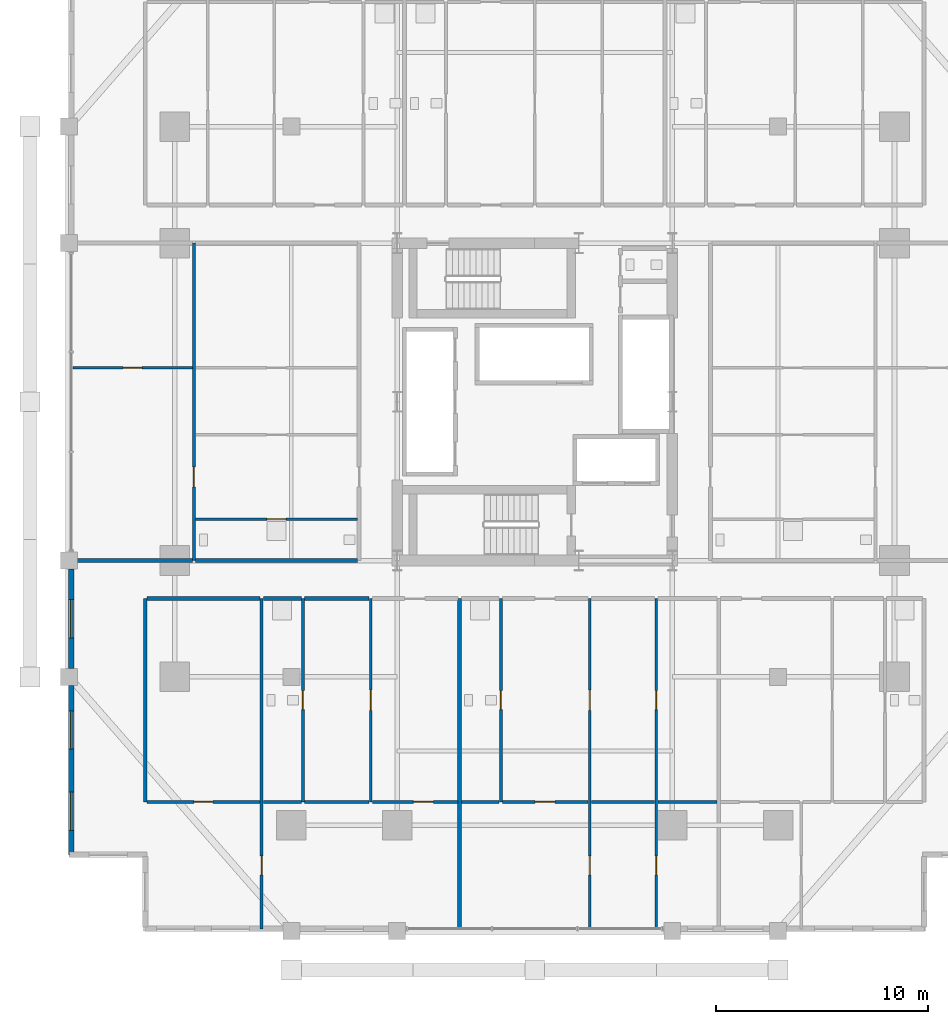
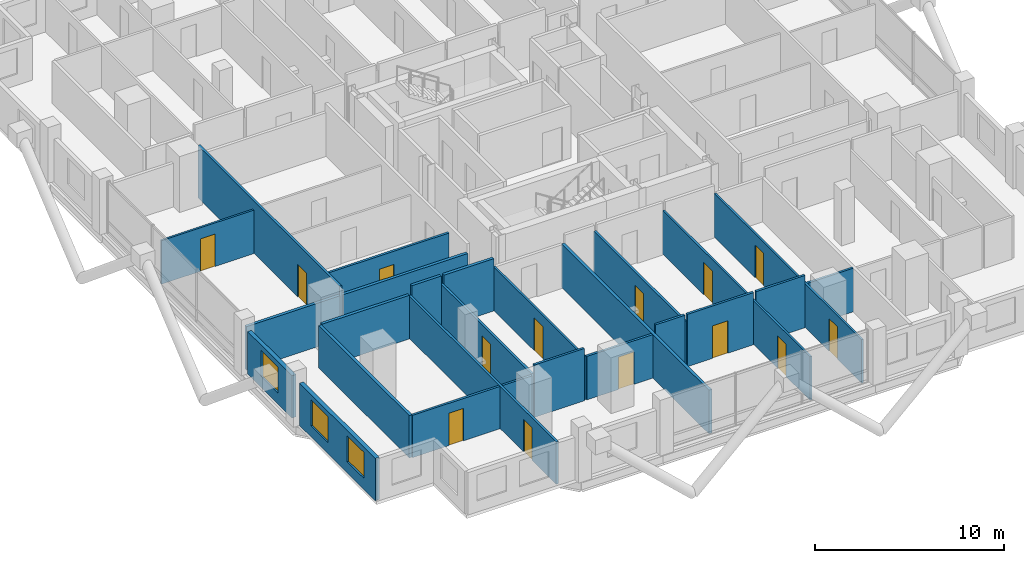
# One storey, part 17 of 24: 26 walls, 14 doors, 3 windows, 17 openings.
"""IFC4 building model written with IfcOpenShell, lengths in metres."""

from ifc_helpers import new_model, si_unit, direction, frame, frame_2d, origin, place, context, subcontext, project, spatial, rectangle, extrude, material, layer, layer_set, type_object, element, fill, save


model = new_model("IFC4")

# Units and contexts
model_context = context("Model", 3, precision=1e-05, world=origin(), true_north=direction((0.0, 1.0)))
body_context = subcontext(model_context, "Body", "Model", "MODEL_VIEW")
ifc_project = project(units=[si_unit("LENGTHUNIT", "METRE"), si_unit("AREAUNIT", "SQUARE_METRE"), si_unit("VOLUMEUNIT", "CUBIC_METRE"), si_unit("PLANEANGLEUNIT", "RADIAN"), si_unit("MASSUNIT", "GRAM", prefix="KILO")], contexts=[model_context])

# Site, building, storey
site_placement = place(None, origin())
site = spatial("IfcSite", under=ifc_project, at=site_placement, CompositionType="ELEMENT")
building_placement = place(site_placement, origin())
building = spatial("IfcBuilding", under=site, at=building_placement, Name="Barlavira Tower and Art Museum", CompositionType="ELEMENT")
storey_placement = place(building_placement, frame((0.0, 0.0, 46.800048828125)))
storey = spatial("IfcBuildingStorey", under=building, at=storey_placement, Name="L10", CompositionType="ELEMENT", Elevation=46.800048828125)

# Wall, opening, door
ifc_material_1 = material(Name="Gypsum acoustic stud partition", Category="gypsum")
ifc_layer_1 = layer(ifc_material_1, 0.1201171875, Name="Gypsum acoustic stud partition")
ifc_layer_set_1 = layer_set([ifc_layer_1], Name="Gypsum acoustic stud partition")
wall_type_1 = type_object("IfcWallType", Name="Apartment Internal Acoustic Partition 120", PredefinedType="PARTITIONING", material=ifc_layer_set_1)
wall_1_placement = place(storey_placement, frame((-7.75, -18.89990234375, 0.0), z_axis=(0.0, 0.0, 1.0), x_axis=(0.0, 1.0, 0.0)))
wall_1 = element("IfcWall", 1, at=wall_1_placement, inside=storey, type_object=wall_type_1, Name="L10 Partition Wall 10", PredefinedType="PARTITIONING", context=body_context, shape_type="SweptSolid", body=[
    extrude(rectangle(XDim=9.599853515625, YDim=0.1201171875, at=frame_2d((4.7998046875, 0.0))), origin(), (0.0, 0.0, 1.0), 2.81591796875),
])
opening_1_placement = place(wall_1_placement, frame((4.324951171875, 0.0, 0.0)))
opening_1 = element("IfcOpeningElement", 2, at=opening_1_placement, cuts=wall_1, Name="Opening D-02", PredefinedType="OPENING", context=body_context, shape_type="SweptSolid", body=[
    extrude(rectangle(XDim=0.949951171875, YDim=2.10009765625, at=frame_2d((0.47509765625, 1.050048828125))), frame((0.0, 0.070068359375, 0.0), z_axis=(0.0, -1.0, 0.0), x_axis=(1.0, 0.0, 0.0)), (0.0, 0.0, 1.0), 0.14013671875),
])
ifc_material_2 = material(Name="Engineered coastal hardwood", Category="wood")
door_type_1 = type_object("IfcDoorType", Name="Living and Salon Glazed-Leaf Door 950x2100", OperationType="NOTDEFINED", PredefinedType="DOOR", material=ifc_material_2)
door_1_placement = place(opening_1_placement, origin())
door_1 = element("IfcDoor", 3, at=door_1_placement, inside=storey, type_object=door_type_1, Name="Apartment S1 Kitchen Door", OperationType="SINGLE_SWING_LEFT", OverallHeight=2.10009765625, OverallWidth=0.949951171875, PredefinedType="DOOR", context=body_context, shape_type="SweptSolid", body=[
    extrude(rectangle(XDim=0.949951171875, YDim=2.10009765625, at=frame_2d((0.47509765625, 1.050048828125))), frame((0.0, 0.02490234375, 0.0), z_axis=(0.0, -1.0, 0.0), x_axis=(1.0, 0.0, 0.0)), (0.0, 0.0, 1.0), 0.050048828125),
])
fill(opening_1, door_1)

# Wall, openings, doors
wall_2_placement = place(storey_placement, frame((2.60009765625, -24.89990234375, 0.0), z_axis=(0.0, 0.0, 1.0), x_axis=(0.0, 1.0, 0.0)))
wall_2 = element("IfcWall", 4, at=wall_2_placement, inside=storey, type_object=wall_type_1, Name="L10 Partition Wall 16", PredefinedType="PARTITIONING", context=body_context, shape_type="SweptSolid", body=[
    extrude(rectangle(XDim=15.599853515625, YDim=0.1201171875, at=frame_2d((7.7998046875, 0.0))), origin(), (0.0, 0.0, 1.0), 2.81591796875),
])
opening_2_placement = place(wall_2_placement, frame((10.324951171875, 0.0, 0.0)))
opening_2 = element("IfcOpeningElement", 5, at=opening_2_placement, cuts=wall_2, Name="Opening D-02", PredefinedType="OPENING", context=body_context, shape_type="SweptSolid", body=[
    extrude(rectangle(XDim=0.949951171875, YDim=2.10009765625, at=frame_2d((0.47509765625, 1.050048828125))), frame((0.0, 0.070068359375, 0.0), z_axis=(0.0, -1.0, 0.0), x_axis=(1.0, 0.0, 0.0)), (0.0, 0.0, 1.0), 0.14013671875),
])
opening_3_placement = place(wall_2_placement, frame((2.550048828125, 0.0, 0.0)))
opening_3 = element("IfcOpeningElement", 6, at=opening_3_placement, cuts=wall_2, Name="Opening D-01", PredefinedType="OPENING", context=body_context, shape_type="SweptSolid", body=[
    extrude(rectangle(XDim=0.89990234375, YDim=2.10009765625, at=frame_2d((0.449951171875, 1.050048828125))), frame((0.0, 0.070068359375, 0.0), z_axis=(0.0, -1.0, 0.0), x_axis=(1.0, 0.0, 0.0)), (0.0, 0.0, 1.0), 0.14013671875),
])
door_type_2 = type_object("IfcDoorType", Name="Internal Bedroom Timber Flush Door 900x2100", OperationType="NOTDEFINED", PredefinedType="DOOR", material=ifc_material_2)
door_2_placement = place(opening_3_placement, origin())
door_2 = element("IfcDoor", 7, at=door_2_placement, inside=storey, type_object=door_type_2, Name="Apartment S2 Bedroom 1 Door", OperationType="SINGLE_SWING_LEFT", OverallHeight=2.10009765625, OverallWidth=0.89990234375, PredefinedType="DOOR", context=body_context, shape_type="SweptSolid", body=[
    extrude(rectangle(XDim=0.89990234375, YDim=2.10009765625, at=frame_2d((0.449951171875, 1.050048828125))), frame((0.0, 0.02490234375, 0.0), z_axis=(0.0, -1.0, 0.0), x_axis=(1.0, 0.0, 0.0)), (0.0, 0.0, 1.0), 0.050048828125),
])
fill(opening_3, door_2)
door_3_placement = place(opening_2_placement, origin())
door_3 = element("IfcDoor", 8, at=door_3_placement, inside=storey, type_object=door_type_1, Name="Apartment S2 Kitchen Door", OperationType="SINGLE_SWING_RIGHT", OverallHeight=2.10009765625, OverallWidth=0.949951171875, PredefinedType="DOOR", context=body_context, shape_type="SweptSolid", body=[
    extrude(rectangle(XDim=0.949951171875, YDim=2.10009765625, at=frame_2d((0.47509765625, 1.050048828125))), frame((0.0, 0.02490234375, 0.0), z_axis=(0.0, -1.0, 0.0), x_axis=(1.0, 0.0, 0.0)), (0.0, 0.0, 1.0), 0.050048828125),
])
fill(opening_2, door_3)

wall_3_placement = place(storey_placement, frame((5.75, -24.89990234375, 0.0), z_axis=(0.0, 0.0, 1.0), x_axis=(0.0, 1.0, 0.0)))
wall_3 = element("IfcWall", 9, at=wall_3_placement, inside=storey, type_object=wall_type_1, Name="L10 Partition Wall 19", PredefinedType="PARTITIONING", context=body_context, shape_type="SweptSolid", body=[
    extrude(rectangle(XDim=15.599853515625, YDim=0.1201171875, at=frame_2d((7.7998046875, 0.0))), origin(), (0.0, 0.0, 1.0), 2.81591796875),
])
opening_4_placement = place(wall_3_placement, frame((10.35009765625, 0.0, 0.0)))
opening_4 = element("IfcOpeningElement", 10, at=opening_4_placement, cuts=wall_3, Name="Opening D-01", PredefinedType="OPENING", context=body_context, shape_type="SweptSolid", body=[
    extrude(rectangle(XDim=0.89990234375, YDim=2.10009765625, at=frame_2d((0.449951171875, 1.050048828125))), frame((0.0, 0.070068359375, 0.0), z_axis=(0.0, -1.0, 0.0), x_axis=(1.0, 0.0, 0.0)), (0.0, 0.0, 1.0), 0.14013671875),
])
opening_5_placement = place(wall_3_placement, frame((2.550048828125, 0.0, 0.0)))
opening_5 = element("IfcOpeningElement", 11, at=opening_5_placement, cuts=wall_3, Name="Opening D-01", PredefinedType="OPENING", context=body_context, shape_type="SweptSolid", body=[
    extrude(rectangle(XDim=0.89990234375, YDim=2.10009765625, at=frame_2d((0.449951171875, 1.050048828125))), frame((0.0, 0.070068359375, 0.0), z_axis=(0.0, -1.0, 0.0), x_axis=(1.0, 0.0, 0.0)), (0.0, 0.0, 1.0), 0.14013671875),
])
door_4_placement = place(opening_4_placement, origin())
door_4 = element("IfcDoor", 12, at=door_4_placement, inside=storey, type_object=door_type_2, Name="Apartment S2 Walk-In Dressing Room Door", OperationType="SINGLE_SWING_LEFT", OverallHeight=2.10009765625, OverallWidth=0.89990234375, PredefinedType="DOOR", context=body_context, shape_type="SweptSolid", body=[
    extrude(rectangle(XDim=0.89990234375, YDim=2.10009765625, at=frame_2d((0.449951171875, 1.050048828125))), frame((0.0, 0.02490234375, 0.0), z_axis=(0.0, -1.0, 0.0), x_axis=(1.0, 0.0, 0.0)), (0.0, 0.0, 1.0), 0.050048828125),
])
fill(opening_4, door_4)
door_5_placement = place(opening_5_placement, origin())
door_5 = element("IfcDoor", 13, at=door_5_placement, inside=storey, type_object=door_type_2, Name="Apartment S2 Sunroom Lounge 2 Door", OperationType="SINGLE_SWING_RIGHT", OverallHeight=2.10009765625, OverallWidth=0.89990234375, PredefinedType="DOOR", context=body_context, shape_type="SweptSolid", body=[
    extrude(rectangle(XDim=0.89990234375, YDim=2.10009765625, at=frame_2d((0.449951171875, 1.050048828125))), frame((0.0, 0.02490234375, 0.0), z_axis=(0.0, -1.0, 0.0), x_axis=(1.0, 0.0, 0.0)), (0.0, 0.0, 1.0), 0.050048828125),
])
fill(opening_5, door_5)

# Wall, opening, door
wall_4_placement = place(storey_placement, frame((-21.820068359375, 1.60009765625, 0.0), z_axis=(0.0, 0.0, 1.0), x_axis=(1.0, 0.0, 0.0)))
wall_4 = element("IfcWall", 14, at=wall_4_placement, inside=storey, type_object=wall_type_1, Name="L10 Partition Wall 63", PredefinedType="PARTITIONING", context=body_context, shape_type="SweptSolid", body=[
    extrude(rectangle(XDim=5.64013671875, YDim=0.1201171875, at=frame_2d((2.820068359375, 0.0))), origin(), (0.0, 0.0, 1.0), 2.81591796875),
])
opening_6_placement = place(wall_4_placement, frame((2.3701171875, 0.0, 0.0)))
opening_6 = element("IfcOpeningElement", 15, at=opening_6_placement, cuts=wall_4, Name="Opening D-01", PredefinedType="OPENING", context=body_context, shape_type="SweptSolid", body=[
    extrude(rectangle(XDim=0.89990234375, YDim=2.10009765625, at=frame_2d((0.449951171875, 1.050048828125))), frame((0.0, 0.070068359375, 0.0), z_axis=(0.0, -1.0, 0.0), x_axis=(1.0, 0.0, 0.0)), (0.0, 0.0, 1.0), 0.14013671875),
])
door_6_placement = place(opening_6_placement, origin())
door_6 = element("IfcDoor", 16, at=door_6_placement, inside=storey, type_object=door_type_2, Name="Apartment W1 Bedroom 1 Door", OperationType="SINGLE_SWING_RIGHT", OverallHeight=2.10009765625, OverallWidth=0.89990234375, PredefinedType="DOOR", context=body_context, shape_type="SweptSolid", body=[
    extrude(rectangle(XDim=0.89990234375, YDim=2.10009765625, at=frame_2d((0.449951171875, 1.050048828125))), frame((0.0, 0.02490234375, 0.0), z_axis=(0.0, -1.0, 0.0), x_axis=(1.0, 0.0, 0.0)), (0.0, 0.0, 1.0), 0.050048828125),
])
fill(opening_6, door_6)

# Walls
ifc_layer_2 = layer(ifc_material_1, 0.179931640625, Name="Gypsum acoustic stud partition")
ifc_layer_set_2 = layer_set([ifc_layer_2], Name="Gypsum acoustic stud partition")
wall_type_2 = type_object("IfcWallType", Name="Inter-Tenancy Party Partition Wall 180", PredefinedType="PARTITIONING", material=ifc_layer_set_2)
wall_5_placement = place(storey_placement, frame((-18.39990234375, -18.89990234375, 0.0), z_axis=(0.0, 0.0, 1.0), x_axis=(0.0, 1.0, 0.0)))
element("IfcWall", 17, at=wall_5_placement, inside=storey, type_object=wall_type_2, Name="L10 Partition Wall 1", PredefinedType="PARTITIONING", context=body_context, shape_type="SweptSolid", body=[
    extrude(rectangle(XDim=9.599853515625, YDim=0.179931640625, at=frame_2d((4.7998046875, 0.0))), origin(), (0.0, 0.0, 1.0), 2.73583984375),
])
wall_6_placement = place(storey_placement, frame((-3.550048828125, -24.89990234375, 0.0), z_axis=(0.0, 0.0, 1.0), x_axis=(0.0, 1.0, 0.0)))
element("IfcWall", 18, at=wall_6_placement, inside=storey, type_object=wall_type_2, Name="L10 Partition Wall 13", PredefinedType="PARTITIONING", context=body_context, shape_type="SweptSolid", body=[
    extrude(rectangle(XDim=15.599853515625, YDim=0.179931640625, at=frame_2d((7.7998046875, 0.0))), origin(), (0.0, 0.0, 1.0), 2.81591796875),
])
wall_7_placement = place(storey_placement, frame((-18.320068359375, -9.300048828125, 0.0), z_axis=(0.0, 0.0, 1.0), x_axis=(1.0, 0.0, 0.0)))
element("IfcWall", 19, at=wall_7_placement, inside=storey, type_object=wall_type_2, Name="L10 Partition Wall 44", PredefinedType="PARTITIONING", context=body_context, shape_type="SweptSolid", body=[
    extrude(rectangle(XDim=5.340087890625, YDim=0.179931640625, at=frame_2d((2.669921875, 0.0))), origin(), (0.0, 0.0, 1.0), 2.81591796875),
])
wall_8_placement = place(storey_placement, frame((-12.820068359375, -9.300048828125, 0.0), z_axis=(0.0, 0.0, 1.0), x_axis=(1.0, 0.0, 0.0)))
element("IfcWall", 20, at=wall_8_placement, inside=storey, type_object=wall_type_2, Name="L10 Partition Wall 45", PredefinedType="PARTITIONING", context=body_context, shape_type="SweptSolid", body=[
    extrude(rectangle(XDim=1.7900390625, YDim=0.179931640625, at=frame_2d((0.89501953125, 0.0))), origin(), (0.0, 0.0, 1.0), 3.3798828125),
])
wall_9_placement = place(storey_placement, frame((-10.8701171875, -9.300048828125, 0.0), z_axis=(0.0, 0.0, 1.0), x_axis=(1.0, 0.0, 0.0)))
element("IfcWall", 21, at=wall_9_placement, inside=storey, type_object=wall_type_2, Name="L10 Partition Wall 46", PredefinedType="PARTITIONING", context=body_context, shape_type="SweptSolid", body=[
    extrude(rectangle(XDim=3.0400390625, YDim=0.179931640625, at=frame_2d((1.52001953125, 0.0))), origin(), (0.0, 0.0, 1.0), 3.3798828125),
])
wall_10_placement = place(storey_placement, frame((-21.89990234375, -7.5, 0.0), z_axis=(0.0, 0.0, 1.0), x_axis=(1.0, 0.0, 0.0)))
element("IfcWall", 22, at=wall_10_placement, inside=storey, type_object=wall_type_2, Name="L10 Partition Wall 55", PredefinedType="PARTITIONING", context=body_context, shape_type="SweptSolid", body=[
    extrude(rectangle(XDim=5.719970703125, YDim=0.179931640625, at=frame_2d((2.85986328125, 0.0))), origin(), (0.0, 0.0, 1.0), 2.81591796875),
])
wall_11_placement = place(storey_placement, frame((-16.02001953125, -7.5, 0.0), z_axis=(0.0, 0.0, 1.0), x_axis=(1.0, 0.0, 0.0)))
element("IfcWall", 23, at=wall_11_placement, inside=storey, type_object=wall_type_2, Name="L10 Partition Wall 56", PredefinedType="PARTITIONING", context=body_context, shape_type="SweptSolid", body=[
    extrude(rectangle(XDim=7.64013671875, YDim=0.179931640625, at=frame_2d((3.820068359375, 0.0))), origin(), (0.0, 0.0, 1.0), 2.81591796875),
])

# Wall, opening, door
ifc_layer_3 = layer(ifc_material_1, 0.139892578125, Name="Gypsum acoustic stud partition")
ifc_layer_set_3 = layer_set([ifc_layer_3], Name="Gypsum acoustic stud partition")
wall_type_3 = type_object("IfcWallType", Name="Moisture-Resistant Bathroom Partition 140", PredefinedType="PARTITIONING", material=ifc_layer_set_3)
wall_12_placement = place(storey_placement, frame((-16.10009765625, -7.5, 0.0), z_axis=(0.0, 0.0, 1.0), x_axis=(0.0, 1.0, 0.0)))
wall_12 = element("IfcWall", 24, at=wall_12_placement, inside=storey, type_object=wall_type_3, Name="L10 Partition Wall 3", PredefinedType="PARTITIONING", context=body_context, shape_type="SweptSolid", body=[
    extrude(rectangle(XDim=15.0, YDim=0.139892578125, at=frame_2d((7.5, 0.0))), origin(), (0.0, 0.0, 1.0), 3.3798828125),
])
opening_7_placement = place(wall_12_placement, frame((3.47509765625, 0.0, 0.0)))
opening_7 = element("IfcOpeningElement", 25, at=opening_7_placement, cuts=wall_12, Name="Opening D-02", PredefinedType="OPENING", context=body_context, shape_type="SweptSolid", body=[
    extrude(rectangle(XDim=0.949951171875, YDim=2.10009765625, at=frame_2d((0.47509765625, 1.050048828125))), frame((0.0, 0.080078125, 0.0), z_axis=(0.0, -1.0, 0.0), x_axis=(1.0, 0.0, 0.0)), (0.0, 0.0, 1.0), 0.159912109375),
])
door_7_placement = place(opening_7_placement, origin())
door_7 = element("IfcDoor", 26, at=door_7_placement, inside=storey, type_object=door_type_1, Name="Apartment W1 Living Lounge Door", OperationType="SINGLE_SWING_LEFT", OverallHeight=2.10009765625, OverallWidth=0.949951171875, PredefinedType="DOOR", context=body_context, shape_type="SweptSolid", body=[
    extrude(rectangle(XDim=0.949951171875, YDim=2.10009765625, at=frame_2d((0.47509765625, 1.050048828125))), frame((0.0, 0.02490234375, 0.0), z_axis=(0.0, -1.0, 0.0), x_axis=(1.0, 0.0, 0.0)), (0.0, 0.0, 1.0), 0.050048828125),
])
fill(opening_7, door_7)

wall_13_placement = place(storey_placement, frame((-12.89990234375, -24.89990234375, 0.0), z_axis=(0.0, 0.0, 1.0), x_axis=(0.0, 1.0, 0.0)))
wall_13 = element("IfcWall", 27, at=wall_13_placement, inside=storey, type_object=wall_type_3, Name="L10 Partition Wall 5", PredefinedType="PARTITIONING", context=body_context, shape_type="SweptSolid", body=[
    extrude(rectangle(XDim=15.599853515625, YDim=0.139892578125, at=frame_2d((7.7998046875, 0.0))), origin(), (0.0, 0.0, 1.0), 2.73583984375),
])
opening_8_placement = place(wall_13_placement, frame((2.550048828125, 0.0, 0.0)))
opening_8 = element("IfcOpeningElement", 28, at=opening_8_placement, cuts=wall_13, Name="Opening D-01", PredefinedType="OPENING", context=body_context, shape_type="SweptSolid", body=[
    extrude(rectangle(XDim=0.89990234375, YDim=2.10009765625, at=frame_2d((0.449951171875, 1.050048828125))), frame((0.0, 0.080078125, 0.0), z_axis=(0.0, -1.0, 0.0), x_axis=(1.0, 0.0, 0.0)), (0.0, 0.0, 1.0), 0.159912109375),
])
door_8_placement = place(opening_8_placement, origin())
door_8 = element("IfcDoor", 29, at=door_8_placement, inside=storey, type_object=door_type_2, Name="Apartment S1 Bedroom 1 Door", OperationType="SINGLE_SWING_LEFT", OverallHeight=2.10009765625, OverallWidth=0.89990234375, PredefinedType="DOOR", context=body_context, shape_type="SweptSolid", body=[
    extrude(rectangle(XDim=0.89990234375, YDim=2.10009765625, at=frame_2d((0.449951171875, 1.050048828125))), frame((0.0, 0.02490234375, 0.0), z_axis=(0.0, -1.0, 0.0), x_axis=(1.0, 0.0, 0.0)), (0.0, 0.0, 1.0), 0.050048828125),
])
fill(opening_8, door_8)

wall_14_placement = place(storey_placement, frame((-10.949951171875, -18.89990234375, 0.0), z_axis=(0.0, 0.0, 1.0), x_axis=(0.0, 1.0, 0.0)))
wall_14 = element("IfcWall", 30, at=wall_14_placement, inside=storey, type_object=wall_type_3, Name="L10 Partition Wall 7", PredefinedType="PARTITIONING", context=body_context, shape_type="SweptSolid", body=[
    extrude(rectangle(XDim=9.599853515625, YDim=0.139892578125, at=frame_2d((4.7998046875, 0.0))), origin(), (0.0, 0.0, 1.0), 2.81591796875),
])
opening_9_placement = place(wall_14_placement, frame((4.35009765625, 0.0, 0.0)))
opening_9 = element("IfcOpeningElement", 31, at=opening_9_placement, cuts=wall_14, Name="Opening D-WC", PredefinedType="OPENING", context=body_context, shape_type="SweptSolid", body=[
    extrude(rectangle(XDim=0.89990234375, YDim=2.10009765625, at=frame_2d((0.449951171875, 1.050048828125))), frame((0.0, 0.080078125, 0.0), z_axis=(0.0, -1.0, 0.0), x_axis=(1.0, 0.0, 0.0)), (0.0, 0.0, 1.0), 0.159912109375),
])
door_type_3 = type_object("IfcDoorType", Name="Accessible Bathroom Flush Door 900x2100", OperationType="NOTDEFINED", PredefinedType="DOOR", material=ifc_material_2)
door_9_placement = place(opening_9_placement, origin())
door_9 = element("IfcDoor", 32, at=door_9_placement, inside=storey, type_object=door_type_3, Name="Apartment S1 Hall Bathroom Door", OperationType="SINGLE_SWING_RIGHT", OverallHeight=2.10009765625, OverallWidth=0.89990234375, PredefinedType="DOOR", context=body_context, shape_type="SweptSolid", body=[
    extrude(rectangle(XDim=0.89990234375, YDim=2.10009765625, at=frame_2d((0.449951171875, 1.050048828125))), frame((0.0, 0.02490234375, 0.0), z_axis=(0.0, -1.0, 0.0), x_axis=(1.0, 0.0, 0.0)), (0.0, 0.0, 1.0), 0.050048828125),
])
fill(opening_9, door_9)

wall_15_placement = place(storey_placement, frame((-1.60009765625, -18.89990234375, 0.0), z_axis=(0.0, 0.0, 1.0), x_axis=(0.0, 1.0, 0.0)))
wall_15 = element("IfcWall", 33, at=wall_15_placement, inside=storey, type_object=wall_type_3, Name="L10 Partition Wall 14", PredefinedType="PARTITIONING", context=body_context, shape_type="SweptSolid", body=[
    extrude(rectangle(XDim=9.599853515625, YDim=0.139892578125, at=frame_2d((4.7998046875, 0.0))), origin(), (0.0, 0.0, 1.0), 2.947998046875),
])
opening_10_placement = place(wall_15_placement, frame((4.35009765625, 0.0, 0.0)))
opening_10 = element("IfcOpeningElement", 34, at=opening_10_placement, cuts=wall_15, Name="Opening D-WC", PredefinedType="OPENING", context=body_context, shape_type="SweptSolid", body=[
    extrude(rectangle(XDim=0.89990234375, YDim=2.10009765625, at=frame_2d((0.449951171875, 1.050048828125))), frame((0.0, 0.080078125, 0.0), z_axis=(0.0, -1.0, 0.0), x_axis=(1.0, 0.0, 0.0)), (0.0, 0.0, 1.0), 0.159912109375),
])
door_10_placement = place(opening_10_placement, origin())
door_10 = element("IfcDoor", 35, at=door_10_placement, inside=storey, type_object=door_type_3, Name="Apartment S2 Hall Bathroom Door", OperationType="SINGLE_SWING_RIGHT", OverallHeight=2.10009765625, OverallWidth=0.89990234375, PredefinedType="DOOR", context=body_context, shape_type="SweptSolid", body=[
    extrude(rectangle(XDim=0.89990234375, YDim=2.10009765625, at=frame_2d((0.449951171875, 1.050048828125))), frame((0.0, 0.02490234375, 0.0), z_axis=(0.0, -1.0, 0.0), x_axis=(1.0, 0.0, 0.0)), (0.0, 0.0, 1.0), 0.050048828125),
])
fill(opening_10, door_10)

wall_16_placement = place(storey_placement, frame((-18.320068359375, -18.89990234375, 0.0), z_axis=(0.0, 0.0, 1.0), x_axis=(1.0, 0.0, 0.0)))
wall_16 = element("IfcWall", 36, at=wall_16_placement, inside=storey, type_object=wall_type_3, Name="L10 Partition Wall 32", PredefinedType="PARTITIONING", context=body_context, shape_type="SweptSolid", body=[
    extrude(rectangle(XDim=5.340087890625, YDim=0.139892578125, at=frame_2d((2.669921875, 0.0))), origin(), (0.0, 0.0, 1.0), 2.73583984375),
])
opening_11_placement = place(wall_16_placement, frame((2.2099609375, 0.0, 0.0)))
opening_11 = element("IfcOpeningElement", 37, at=opening_11_placement, cuts=wall_16, Name="Opening D-01", PredefinedType="OPENING", context=body_context, shape_type="SweptSolid", body=[
    extrude(rectangle(XDim=0.89990234375, YDim=2.10009765625, at=frame_2d((0.449951171875, 1.050048828125))), frame((0.0, 0.080078125, 0.0), z_axis=(0.0, -1.0, 0.0), x_axis=(1.0, 0.0, 0.0)), (0.0, 0.0, 1.0), 0.159912109375),
])
door_11_placement = place(opening_11_placement, origin())
door_11 = element("IfcDoor", 38, at=door_11_placement, inside=storey, type_object=door_type_2, Name="Apartment S1 Walk-In Dressing Room Door", OperationType="SINGLE_SWING_LEFT", OverallHeight=2.10009765625, OverallWidth=0.89990234375, PredefinedType="DOOR", context=body_context, shape_type="SweptSolid", body=[
    extrude(rectangle(XDim=0.89990234375, YDim=2.10009765625, at=frame_2d((0.449951171875, 1.050048828125))), frame((0.0, 0.02490234375, 0.0), z_axis=(0.0, -1.0, 0.0), x_axis=(1.0, 0.0, 0.0)), (0.0, 0.0, 1.0), 0.050048828125),
])
fill(opening_11, door_11)

# Walls
wall_17_placement = place(storey_placement, frame((-12.820068359375, -18.89990234375, 0.0), z_axis=(0.0, 0.0, 1.0), x_axis=(1.0, 0.0, 0.0)))
element("IfcWall", 39, at=wall_17_placement, inside=storey, type_object=wall_type_3, Name="L10 Partition Wall 33", PredefinedType="PARTITIONING", context=body_context, shape_type="SweptSolid", body=[
    extrude(rectangle(XDim=1.7900390625, YDim=0.139892578125, at=frame_2d((0.89501953125, 0.0))), origin(), (0.0, 0.0, 1.0), 2.73583984375),
])
wall_18_placement = place(storey_placement, frame((-10.8701171875, -18.89990234375, 0.0), z_axis=(0.0, 0.0, 1.0), x_axis=(1.0, 0.0, 0.0)))
element("IfcWall", 40, at=wall_18_placement, inside=storey, type_object=wall_type_3, Name="L10 Partition Wall 34", PredefinedType="PARTITIONING", context=body_context, shape_type="SweptSolid", body=[
    extrude(rectangle(XDim=3.0400390625, YDim=0.139892578125, at=frame_2d((1.52001953125, 0.0))), origin(), (0.0, 0.0, 1.0), 3.3798828125),
])

# Wall, opening, door
wall_19_placement = place(storey_placement, frame((-7.669921875, -18.89990234375, 0.0), z_axis=(0.0, 0.0, 1.0), x_axis=(1.0, 0.0, 0.0)))
wall_19 = element("IfcWall", 41, at=wall_19_placement, inside=storey, type_object=wall_type_3, Name="L10 Partition Wall 35", PredefinedType="PARTITIONING", context=body_context, shape_type="SweptSolid", body=[
    extrude(rectangle(XDim=4.0400390625, YDim=0.139892578125, at=frame_2d((2.02001953125, 0.0))), origin(), (0.0, 0.0, 1.0), 2.81591796875),
])
opening_12_placement = place(wall_19_placement, frame((1.93359375, 0.0, 0.0)))
opening_12 = element("IfcOpeningElement", 42, at=opening_12_placement, cuts=wall_19, Name="Opening D-02", PredefinedType="OPENING", context=body_context, shape_type="SweptSolid", body=[
    extrude(rectangle(XDim=0.949951171875, YDim=2.10009765625, at=frame_2d((0.47509765625, 1.050048828125))), frame((0.0, 0.080078125, 0.0), z_axis=(0.0, -1.0, 0.0), x_axis=(1.0, 0.0, 0.0)), (0.0, 0.0, 1.0), 0.159912109375),
])
door_12_placement = place(opening_12_placement, origin())
door_12 = element("IfcDoor", 43, at=door_12_placement, inside=storey, type_object=door_type_1, Name="Apartment S1 Living Lounge Door", OperationType="SINGLE_SWING_RIGHT", OverallHeight=2.10009765625, OverallWidth=0.949951171875, PredefinedType="DOOR", context=body_context, shape_type="SweptSolid", body=[
    extrude(rectangle(XDim=0.949951171875, YDim=2.10009765625, at=frame_2d((0.47509765625, 1.050048828125))), frame((0.0, 0.02490234375, 0.0), z_axis=(0.0, -1.0, 0.0), x_axis=(1.0, 0.0, 0.0)), (0.0, 0.0, 1.0), 0.050048828125),
])
fill(opening_12, door_12)

# Wall
wall_20_placement = place(storey_placement, frame((-3.469970703125, -18.89990234375, 0.0), z_axis=(0.0, 0.0, 1.0), x_axis=(1.0, 0.0, 0.0)))
element("IfcWall", 44, at=wall_20_placement, inside=storey, type_object=wall_type_3, Name="L10 Partition Wall 36", PredefinedType="PARTITIONING", context=body_context, shape_type="SweptSolid", body=[
    extrude(rectangle(XDim=1.7900390625, YDim=0.139892578125, at=frame_2d((0.89501953125, 0.0))), origin(), (0.0, 0.0, 1.0), 3.3798828125),
])

# Wall, opening, door
wall_21_placement = place(storey_placement, frame((-1.52001953125, -18.89990234375, 0.0), z_axis=(0.0, 0.0, 1.0), x_axis=(1.0, 0.0, 0.0)))
wall_21 = element("IfcWall", 45, at=wall_21_placement, inside=storey, type_object=wall_type_3, Name="L10 Partition Wall 37", PredefinedType="PARTITIONING", context=body_context, shape_type="SweptSolid", body=[
    extrude(rectangle(XDim=4.0400390625, YDim=0.139892578125, at=frame_2d((2.02001953125, 0.0))), origin(), (0.0, 0.0, 1.0), 3.3798828125),
])
opening_13_placement = place(wall_21_placement, frame((1.52490234375, 0.0, 0.0)))
opening_13 = element("IfcOpeningElement", 46, at=opening_13_placement, cuts=wall_21, Name="Opening D-02", PredefinedType="OPENING", context=body_context, shape_type="SweptSolid", body=[
    extrude(rectangle(XDim=0.949951171875, YDim=2.10009765625, at=frame_2d((0.47509765625, 1.050048828125))), frame((0.0, 0.080078125, 0.0), z_axis=(0.0, -1.0, 0.0), x_axis=(1.0, 0.0, 0.0)), (0.0, 0.0, 1.0), 0.159912109375),
])
door_13_placement = place(opening_13_placement, origin())
door_13 = element("IfcDoor", 47, at=door_13_placement, inside=storey, type_object=door_type_1, Name="Apartment S2 Living Lounge Door", OperationType="SINGLE_SWING_RIGHT", OverallHeight=2.10009765625, OverallWidth=0.949951171875, PredefinedType="DOOR", context=body_context, shape_type="SweptSolid", body=[
    extrude(rectangle(XDim=0.949951171875, YDim=2.10009765625, at=frame_2d((0.47509765625, 1.050048828125))), frame((0.0, 0.02490234375, 0.0), z_axis=(0.0, -1.0, 0.0), x_axis=(1.0, 0.0, 0.0)), (0.0, 0.0, 1.0), 0.050048828125),
])
fill(opening_13, door_13)

# Walls
wall_22_placement = place(storey_placement, frame((2.679931640625, -18.89990234375, 0.0), z_axis=(0.0, 0.0, 1.0), x_axis=(1.0, 0.0, 0.0)))
element("IfcWall", 48, at=wall_22_placement, inside=storey, type_object=wall_type_3, Name="L10 Partition Wall 38", PredefinedType="PARTITIONING", context=body_context, shape_type="SweptSolid", body=[
    extrude(rectangle(XDim=2.989990234375, YDim=0.139892578125, at=frame_2d((1.4951171875, 0.0))), origin(), (0.0, 0.0, 1.0), 3.3798828125),
])
wall_23_placement = place(storey_placement, frame((5.830078125, -18.89990234375, 0.0), z_axis=(0.0, 0.0, 1.0), x_axis=(1.0, 0.0, 0.0)))
element("IfcWall", 49, at=wall_23_placement, inside=storey, type_object=wall_type_3, Name="L10 Partition Wall 39", PredefinedType="PARTITIONING", context=body_context, shape_type="SweptSolid", body=[
    extrude(rectangle(XDim=2.7900390625, YDim=0.139892578125, at=frame_2d((1.39501953125, 0.0))), origin(), (0.0, 0.0, 1.0), 2.81591796875),
])

# Wall, opening, door
wall_24_placement = place(storey_placement, frame((-16.02001953125, -5.550048828125, 0.0), z_axis=(0.0, 0.0, 1.0), x_axis=(1.0, 0.0, 0.0)))
wall_24 = element("IfcWall", 50, at=wall_24_placement, inside=storey, type_object=wall_type_3, Name="L10 Partition Wall 59", PredefinedType="PARTITIONING", context=body_context, shape_type="SweptSolid", body=[
    extrude(rectangle(XDim=7.64013671875, YDim=0.139892578125, at=frame_2d((3.820068359375, 0.0))), origin(), (0.0, 0.0, 1.0), 2.947998046875),
])
opening_14_placement = place(wall_24_placement, frame((3.3701171875, 0.0, 0.0)))
opening_14 = element("IfcOpeningElement", 51, at=opening_14_placement, cuts=wall_24, Name="Opening D-WC", PredefinedType="OPENING", context=body_context, shape_type="SweptSolid", body=[
    extrude(rectangle(XDim=0.89990234375, YDim=2.10009765625, at=frame_2d((0.449951171875, 1.050048828125))), frame((0.0, 0.080078125, 0.0), z_axis=(0.0, -1.0, 0.0), x_axis=(1.0, 0.0, 0.0)), (0.0, 0.0, 1.0), 0.159912109375),
])
door_14_placement = place(opening_14_placement, origin())
door_14 = element("IfcDoor", 52, at=door_14_placement, inside=storey, type_object=door_type_3, Name="Apartment W1 Hall Bathroom Door", OperationType="SINGLE_SWING_LEFT", OverallHeight=2.10009765625, OverallWidth=0.89990234375, PredefinedType="DOOR", context=body_context, shape_type="SweptSolid", body=[
    extrude(rectangle(XDim=0.89990234375, YDim=2.10009765625, at=frame_2d((0.449951171875, 1.050048828125))), frame((0.0, 0.02490234375, 0.0), z_axis=(0.0, -1.0, 0.0), x_axis=(1.0, 0.0, 0.0)), (0.0, 0.0, 1.0), 0.050048828125),
])
fill(opening_14, door_14)

# Wall, opening, window
ifc_material_3 = material(Name="Precast concrete C40", Category="concrete")
ifc_layer_4 = layer(ifc_material_3, 0.25, Name="Precast concrete C40")
ifc_layer_set_4 = layer_set([ifc_layer_4], Name="Precast concrete C40")
wall_type_4 = type_object("IfcWallType", Name="Notched Corner Spandrel Wall 250 Precast Concrete C40", PredefinedType="SOLIDWALL", material=ifc_layer_set_4)
wall_25_placement = place(storey_placement, frame((-21.89990234375, -7.89501953125, 0.0), z_axis=(0.0, 0.0, 1.0), x_axis=(0.0, -1.0, 0.0)))
wall_25 = element("IfcWall", 53, at=wall_25_placement, inside=storey, type_object=wall_type_4, Name="L10 Coastal Facade Pier Wall CW1-L10-W-4", PredefinedType="SOLIDWALL", context=body_context, shape_type="SweptSolid", body=[
    extrude(rectangle(XDim=4.7099609375, YDim=0.25, at=frame_2d((2.35498046875, 0.0))), origin(), (0.0, 0.0, 1.0), 2.73583984375),
])
opening_15_placement = place(wall_25_placement, frame((1.455078125, 0.0, 0.719970703125)))
opening_15 = element("IfcOpeningElement", 54, at=opening_15_placement, cuts=wall_25, Name="Opening WN-01", PredefinedType="OPENING", context=body_context, shape_type="SweptSolid", body=[
    extrude(rectangle(XDim=1.800048828125, YDim=1.679931640625, at=frame_2d((0.89990234375, 0.83984375))), frame((0.0, 0.135009765625, 0.0), z_axis=(0.0, -1.0, 0.0), x_axis=(1.0, 0.0, 0.0)), (0.0, 0.0, 1.0), 0.27001953125),
])
ifc_material_4 = material(Name="Low-iron coastal laminated glass", Category="glass")
window_type = type_object("IfcWindowType", Name="Recessed Notch Corner Punch Window 1800x1680", PartitioningType="SINGLE_PANEL", PredefinedType="WINDOW", material=ifc_material_4)
window_1_placement = place(opening_15_placement, origin())
window_1 = element("IfcWindow", 55, at=window_1_placement, inside=storey, type_object=window_type, Name="L10 Punched Facade Window EWP-CW1-L10-W-4-1", OverallHeight=1.679931640625, OverallWidth=1.800048828125, PartitioningType="SINGLE_PANEL", PredefinedType="WINDOW", context=body_context, shape_type="SweptSolid", body=[
    extrude(rectangle(XDim=1.800048828125, YDim=1.679931640625, at=frame_2d((0.89990234375, 0.83984375))), frame((0.0, 0.030029296875, 0.0), z_axis=(0.0, -1.0, 0.0), x_axis=(1.0, 0.0, 0.0)), (0.0, 0.0, 1.0), 0.06005859375),
])
fill(opening_15, window_1)

# Wall, openings, windows
wall_26_placement = place(storey_placement, frame((-21.89990234375, -13.39501953125, 0.0), z_axis=(0.0, 0.0, 1.0), x_axis=(0.0, -1.0, 0.0)))
wall_26 = element("IfcWall", 56, at=wall_26_placement, inside=storey, type_object=wall_type_4, Name="L10 Coastal Facade Pier Wall CW1-L10-W-5", PredefinedType="SOLIDWALL", context=body_context, shape_type="SweptSolid", body=[
    extrude(rectangle(XDim=8.030029296875, YDim=0.25, at=frame_2d((4.01513671875, 0.0))), origin(), (0.0, 0.0, 1.0), 2.73583984375),
])
opening_16_placement = place(wall_26_placement, frame((1.220947265625, 0.0, 0.719970703125)))
opening_16 = element("IfcOpeningElement", 57, at=opening_16_placement, cuts=wall_26, Name="Opening WN-01", PredefinedType="OPENING", context=body_context, shape_type="SweptSolid", body=[
    extrude(rectangle(XDim=1.800048828125, YDim=1.679931640625, at=frame_2d((0.89990234375, 0.83984375))), frame((0.0, 0.135009765625, 0.0), z_axis=(0.0, -1.0, 0.0), x_axis=(1.0, 0.0, 0.0)), (0.0, 0.0, 1.0), 0.27001953125),
])
opening_17_placement = place(wall_26_placement, frame((5.053955078125, 0.0, 0.719970703125)))
opening_17 = element("IfcOpeningElement", 58, at=opening_17_placement, cuts=wall_26, Name="Opening WN-01", PredefinedType="OPENING", context=body_context, shape_type="SweptSolid", body=[
    extrude(rectangle(XDim=1.800048828125, YDim=1.679931640625, at=frame_2d((0.89990234375, 0.83984375))), frame((0.0, 0.135009765625, 0.0), z_axis=(0.0, -1.0, 0.0), x_axis=(1.0, 0.0, 0.0)), (0.0, 0.0, 1.0), 0.27001953125),
])
window_2_placement = place(opening_16_placement, origin())
window_2 = element("IfcWindow", 59, at=window_2_placement, inside=storey, type_object=window_type, Name="L10 Punched Facade Window EWP-CW1-L10-W-5-1", OverallHeight=1.679931640625, OverallWidth=1.800048828125, PartitioningType="SINGLE_PANEL", PredefinedType="WINDOW", context=body_context, shape_type="SweptSolid", body=[
    extrude(rectangle(XDim=1.800048828125, YDim=1.679931640625, at=frame_2d((0.89990234375, 0.83984375))), frame((0.0, 0.030029296875, 0.0), z_axis=(0.0, -1.0, 0.0), x_axis=(1.0, 0.0, 0.0)), (0.0, 0.0, 1.0), 0.06005859375),
])
fill(opening_16, window_2)
window_3_placement = place(opening_17_placement, origin())
window_3 = element("IfcWindow", 60, at=window_3_placement, inside=storey, type_object=window_type, Name="L10 Punched Facade Window EWP-CW1-L10-W-5-2", OverallHeight=1.679931640625, OverallWidth=1.800048828125, PartitioningType="SINGLE_PANEL", PredefinedType="WINDOW", context=body_context, shape_type="SweptSolid", body=[
    extrude(rectangle(XDim=1.800048828125, YDim=1.679931640625, at=frame_2d((0.89990234375, 0.83984375))), frame((0.0, 0.030029296875, 0.0), z_axis=(0.0, -1.0, 0.0), x_axis=(1.0, 0.0, 0.0)), (0.0, 0.0, 1.0), 0.06005859375),
])
fill(opening_17, window_3)

save(model, "model.ifc")
